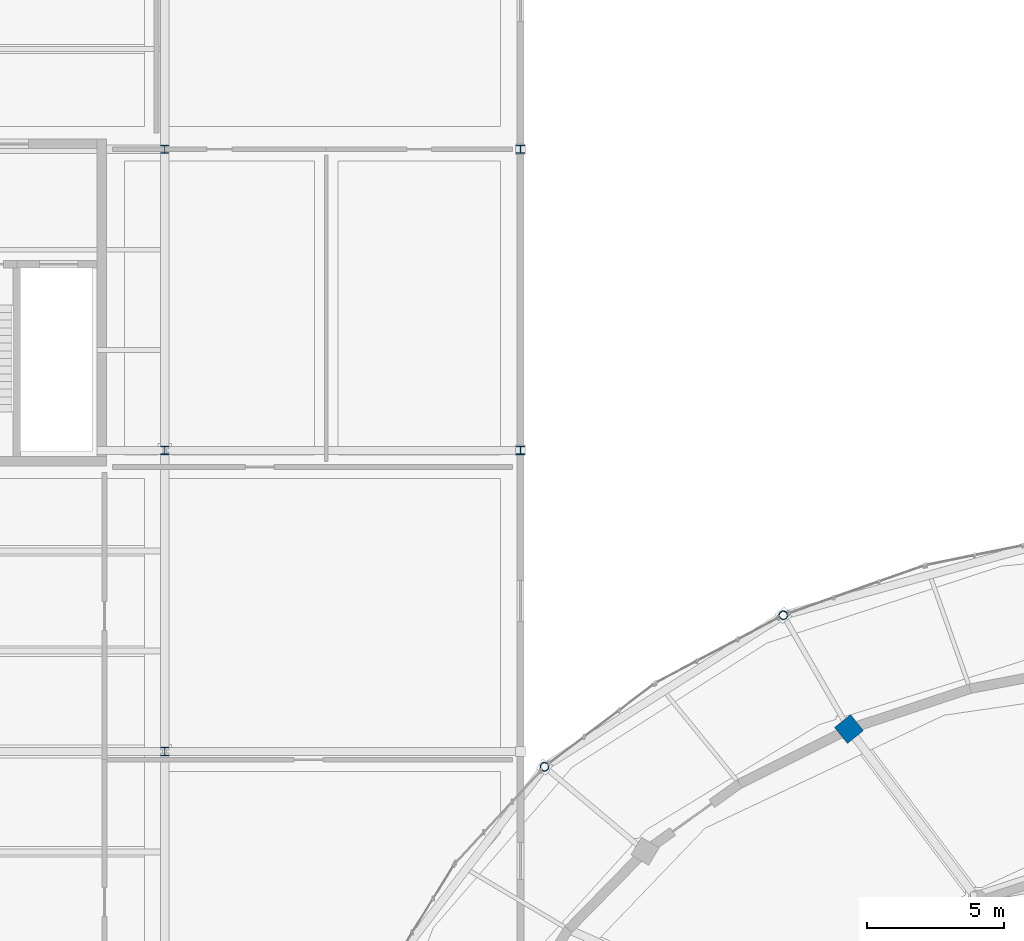
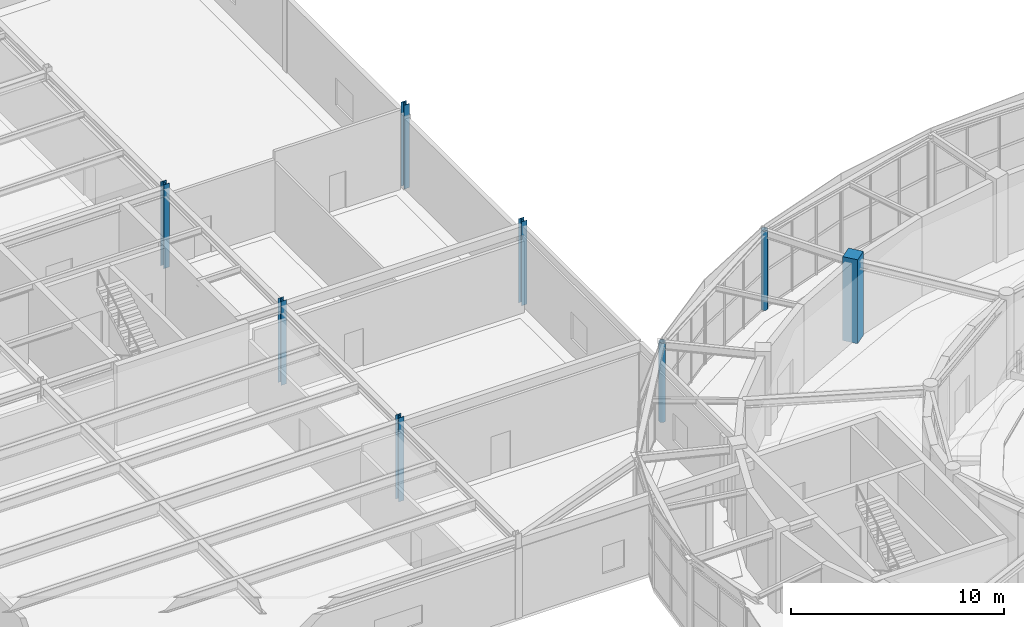
# One storey, part 10 of 108: 8 columns.
"""IFC4 building model written with IfcOpenShell, lengths in metres."""

import ifcopenshell
import ifcopenshell.guid

model = None  # the IFC model being written
_history = None  # IfcOwnerHistory: only IFC2X3 demands one
_inside = {}  # id of a spatial element -> (the spatial element, [elements in it])
_under = {}  # id of a project, library or spatial element -> (it, [spatial elements below it])
_declared = {}  # id of a project -> (the project, [libraries it declares])
_typed = {}  # id of a type object -> (the type object, [elements of that type])
_made_of = {}  # id of a material, layer set ... -> (it, [elements and type objects made of it])


def new_model(schema):
    """Start an empty IFC model of exactly this schema.

    Asked for "IFC4X3", IfcOpenShell would pick the latest addendum, in which some entities
    have other attributes; the version numbers below select the first issue.
    IFC2X3 requires an IfcOwnerHistory on every rooted entity: one is made here for all.
    """
    global model, _history
    if schema == "IFC4X3":
        model = ifcopenshell.file(schema_version=(4, 3, 0, 0))
    else:
        model = ifcopenshell.file(schema=schema)
    _inside.clear()
    _under.clear()
    _declared.clear()
    _typed.clear()
    _made_of.clear()
    _history = None
    if model.schema == "IFC2X3":
        org = make("IfcOrganization", Name="unknown")
        user = make(
            "IfcPersonAndOrganization",
            ThePerson=make("IfcPerson", FamilyName="unknown"),
            TheOrganization=org,
        )
        app = make(
            "IfcApplication",
            ApplicationDeveloper=org,
            Version="unknown",
            ApplicationFullName="unknown",
            ApplicationIdentifier="unknown",
        )
        _history = make(
            "IfcOwnerHistory",
            OwningUser=user,
            OwningApplication=app,
            ChangeAction="ADDED",
            CreationDate=0,
        )
    return model


def make(cls, **values):
    """One entity of the class cls with the attributes given. An attribute that is None is left unset."""
    return model.create_entity(
        cls, **{name: value for name, value in values.items() if value is not None}
    )


def rooted(cls, **values):
    """An entity with a GlobalId (a new one), such as an element, a storey or a relation."""
    return make(cls, GlobalId=ifcopenshell.guid.new(), OwnerHistory=_history, **values)


def si_unit(unit_type, name, prefix=None):
    """IfcSIUnit, for example si_unit("LENGTHUNIT", "METRE", prefix="MILLI")."""
    return make("IfcSIUnit", UnitType=unit_type, Prefix=prefix, Name=name)


def assignment(units):
    """IfcUnitAssignment: the units of a project."""
    return None if units is None else make("IfcUnitAssignment", Units=units)


def point(xyz):
    """IfcCartesianPoint."""
    return None if xyz is None else make("IfcCartesianPoint", Coordinates=xyz)


def direction(xyz):
    """IfcDirection."""
    return None if xyz is None else make("IfcDirection", DirectionRatios=xyz)


def frame(location, z_axis=None, x_axis=None):
    """IfcAxis2Placement3D, a coordinate frame: its origin and axes. An axis left out is left unset."""
    return make(
        "IfcAxis2Placement3D",
        Location=point(location),
        Axis=direction(z_axis),
        RefDirection=direction(x_axis),
    )


def frame_2d(location, x_axis=None):
    """IfcAxis2Placement2D, a coordinate frame in the plane: its origin and x axis."""
    return make(
        "IfcAxis2Placement2D", Location=point(location), RefDirection=direction(x_axis)
    )


def origin():
    """The frame at (0, 0, 0) with its axes left unset."""
    return frame((0.0, 0.0, 0.0))


def origin_2d():
    """The frame at (0, 0) in the plane with its x axis left unset."""
    return frame_2d((0.0, 0.0))


def place(relative_to, where):
    """IfcLocalPlacement: puts the frame where relative to a parent placement (None: the world)."""
    return make(
        "IfcLocalPlacement", PlacementRelTo=relative_to, RelativePlacement=where
    )


def context(
    kind, dimensions, precision=None, world=None, true_north=None, identifier=None
):
    """IfcGeometricRepresentationContext, for example the 3D "Model" context."""
    return make(
        "IfcGeometricRepresentationContext",
        ContextIdentifier=identifier,
        ContextType=kind,
        CoordinateSpaceDimension=dimensions,
        Precision=precision,
        WorldCoordinateSystem=world,
        TrueNorth=true_north,
    )


def subcontext(parent, identifier, kind, view, scale=None):
    """IfcGeometricRepresentationSubContext, for example "Body" below "Model"."""
    return make(
        "IfcGeometricRepresentationSubContext",
        ContextIdentifier=identifier,
        ContextType=kind,
        ParentContext=parent,
        TargetScale=scale,
        TargetView=view,
    )


def project(units=None, contexts=None):
    """IfcProject with its units and contexts."""
    return rooted(
        "IfcProject",
        Name="project",
        RepresentationContexts=contexts,
        UnitsInContext=assignment(units),
    )


def spatial(cls, under=None, at=None, **own):
    """A site, building, storey or space (cls), placed at a placement, below another one or the project."""
    s = rooted(cls, ObjectPlacement=at, **own)
    if under is not None:
        _under.setdefault(under.id(), (under, []))[1].append(s)
    return s


def profile(cls, at=None, kind="AREA", **sizes):
    """A parametric profile (cls). Its sizes go by their IFC names, for example OverallWidth=200.0."""
    return make(cls, ProfileType=kind, Position=at, **sizes)


def rectangle(**sizes):
    """IfcRectangleProfileDef."""
    return profile("IfcRectangleProfileDef", **sizes)


def hollow_circle(**sizes):
    """IfcCircleHollowProfileDef."""
    return profile("IfcCircleHollowProfileDef", **sizes)


def i_section(**sizes):
    """IfcIShapeProfileDef."""
    return profile("IfcIShapeProfileDef", **sizes)


def extrude(swept, where, along, depth):
    """IfcExtrudedAreaSolid: the profile swept, set in the frame where, extruded along a direction by depth."""
    return make(
        "IfcExtrudedAreaSolid",
        SweptArea=swept,
        Position=where,
        ExtrudedDirection=direction(along),
        Depth=depth,
    )


def shape(context_of_items, identifier, shape_type, items):
    """IfcShapeRepresentation: the items that make up one representation, for example the "Body"."""
    return make(
        "IfcShapeRepresentation",
        ContextOfItems=context_of_items,
        RepresentationIdentifier=identifier,
        RepresentationType=shape_type,
        Items=items,
    )


def material(Name=None, Category=None):
    """IfcMaterial."""
    return make("IfcMaterial", Name=Name, Category=Category)


def material_profile(
    of_material, cross_section, Name=None, Category=None, Priority=None
):
    """IfcMaterialProfile: a cross section and its material."""
    return make(
        "IfcMaterialProfile",
        Name=Name,
        Material=of_material,
        Profile=cross_section,
        Priority=Priority,
        Category=Category,
    )


def profile_set(profiles, Name=None, composite=None):
    """IfcMaterialProfileSet."""
    return make(
        "IfcMaterialProfileSet",
        Name=Name,
        MaterialProfiles=profiles,
        CompositeProfile=composite,
    )


def made_of(thing, what):
    """Note that an element or type object is made of a material, layer set ...; save() writes the relation."""
    if what is not None:
        _made_of.setdefault(what.id(), (what, []))[1].append(thing)
    return thing


def type_object(cls, material=None, **own):
    """A type object (cls), such as IfcWallType, which elements share."""
    return made_of(rooted(cls, **own), material)


def element(
    cls,
    number,
    at=None,
    inside=None,
    cuts=None,
    type_object=None,
    material=None,
    context=None,
    identifier="Body",
    shape_type=None,
    held_by="IfcProductDefinitionShape",
    body=None,
    shapes=None,
    **own,
):
    """One element of the class cls, such as IfcWall. Its Tag is "e" and its number.

    at: its placement. inside: the storey or other place that contains it. cuts: it is an
    opening in that element (IfcRelVoidsElement). A single representation is given by context,
    identifier, shape_type and body (its items); several are given by shapes. held_by: the class
    of the entity that holds the representations. save() writes the other relations.
    """
    e = rooted(cls, Tag="e%d" % number, ObjectPlacement=at, **own)
    if body is not None:
        shapes = [shape(context, identifier, shape_type, body)]
    if shapes is not None:
        e.Representation = make(held_by, Representations=shapes)
    if inside is not None:
        _inside.setdefault(inside.id(), (inside, []))[1].append(e)
    if cuts is not None:
        rooted(
            "IfcRelVoidsElement", RelatingBuildingElement=cuts, RelatedOpeningElement=e
        )
    if type_object is not None:
        _typed.setdefault(type_object.id(), (type_object, []))[1].append(e)
    return made_of(e, material)


def aggregate(whole, parts):
    """IfcRelAggregates: a whole, such as a stair, and the parts it consists of."""
    return rooted("IfcRelAggregates", RelatingObject=whole, RelatedObjects=parts)


def save(model, path):
    """Write the relations noted so far, then the file.

    IfcRelAggregates (storeys below a building ...), IfcRelContainedInSpatialStructure (elements
    in a storey), IfcRelDefinesByType, IfcRelAssociatesMaterial and IfcRelDeclares: one each for
    every whole, place, type object, material and project.
    """
    for whole, parts in _under.values():
        aggregate(whole, parts)
    for where, things in _inside.values():
        rooted(
            "IfcRelContainedInSpatialStructure",
            RelatedElements=things,
            RelatingStructure=where,
        )
    for kind, things in _typed.values():
        rooted("IfcRelDefinesByType", RelatedObjects=things, RelatingType=kind)
    for what, things in _made_of.values():
        rooted("IfcRelAssociatesMaterial", RelatedObjects=things, RelatingMaterial=what)
    for by, libraries in _declared.values():
        rooted("IfcRelDeclares", RelatingContext=by, RelatedDefinitions=libraries)
    model.write(path)


model = new_model("IFC4")

# Units and contexts
model_context = context("Model", 3, precision=1e-05, world=origin(), true_north=direction((0.0, 1.0)))
body_context = subcontext(model_context, "Body", "Model", "MODEL_VIEW")
ifc_project = project(units=[si_unit("LENGTHUNIT", "METRE"), si_unit("AREAUNIT", "SQUARE_METRE"), si_unit("VOLUMEUNIT", "CUBIC_METRE"), si_unit("PLANEANGLEUNIT", "RADIAN"), si_unit("MASSUNIT", "GRAM", prefix="KILO")], contexts=[model_context])

# Site, building, storey
site_placement = place(None, origin())
site = spatial("IfcSite", under=ifc_project, at=site_placement, CompositionType="ELEMENT")
building_placement = place(site_placement, origin())
building = spatial("IfcBuilding", under=site, at=building_placement, Name="Tarnveldt Headland Concert Hall", CompositionType="ELEMENT")
storey_placement = place(building_placement, frame((0.0, 0.0, 9.60009765625)))
storey = spatial("IfcBuildingStorey", under=building, at=storey_placement, Name="L02", CompositionType="ELEMENT", Elevation=9.60009765625)

# Columns
ifc_material_1 = material(Name="Concrete C40/50", Category="concrete")
ifc_material_profile_1 = material_profile(ifc_material_1, rectangle(XDim=0.75, YDim=0.75, at=origin_2d()), Name="RC 750x750", Category="concrete")
ifc_profile_set_1 = profile_set([ifc_material_profile_1], Name="Concrete C40/50")
column_type_1 = type_object("IfcColumnType", Name="CC-750", PredefinedType="COLUMN", material=ifc_profile_set_1)
column_placement = place(storey_placement, frame((69.5, 71.820556640625, 0.0), z_axis=(0.0, 0.0, 1.0), x_axis=(-0.628641963719, 0.777694851116, 0.0)))
element("IfcColumn", 1, at=column_placement, inside=storey, type_object=column_type_1, Name="Column V2DC07 L02", PredefinedType="COLUMN", context=body_context, shape_type="SweptSolid", body=[
    extrude(rectangle(XDim=0.75, YDim=0.75, at=origin_2d()), origin(), (0.0, 0.0, 1.0), 4.7998046875),
])
ifc_material_2 = material(Name="Steel S355", Category="steel")
ifc_material_profile_2 = material_profile(ifc_material_2, hollow_circle(Radius=0.161865234375, WallThickness=0.02001953125, at=origin_2d()), Name="CHS 323.9x20", Category="steel")
ifc_profile_set_2 = profile_set([ifc_material_profile_2], Name="Steel S355")
column_type_2 = type_object("IfcColumnType", Name="SC-CHS323", PredefinedType="COLUMN", material=ifc_profile_set_2)
for number, where, z_axis, x_axis, name in (
    (2, (67.10009765625, 75.977294921875, 0.0), (0.0, 0.0, 1.0), (-0.606959801962, 0.79473253287, 0.0), "Column V1C07 L02"),
    (3, (58.373779296875, 70.441162109375, 0.0), (0.0, 0.0, 1.0), (-0.84442143206, 0.535679423796, 0.0), "Column V1C08 L02"),
):
    element("IfcColumn", number, at=place(storey_placement, frame(where, z_axis=z_axis, x_axis=x_axis)), inside=storey, type_object=column_type_2, Name=name, PredefinedType="COLUMN", context=body_context, shape_type="SweptSolid", body=[
        extrude(hollow_circle(Radius=0.161865234375, WallThickness=0.02001953125, at=origin_2d()), origin(), (0.0, 0.0, 1.0), 4.5498046875),
    ])
ifc_material_profile_3 = material_profile(ifc_material_2, i_section(OverallWidth=0.300048828125, OverallDepth=0.300048828125, WebThickness=0.010986328125, FlangeThickness=0.01904296875, FilletRadius=0.027099609375, at=origin_2d()), Name="HEB300", Category="steel")
ifc_profile_set_3 = profile_set([ifc_material_profile_3], Name="Steel S355")
column_type_3 = type_object("IfcColumnType", Name="SC-HEB300", PredefinedType="COLUMN", material=ifc_profile_set_3)
for number, where, z_axis, x_axis, name in (
    (4, (44.5, 71.0, 0.0), (0.0, 0.0, 1.0), (1.0, 0.0, 0.0), "Column V5C17 L02"),
    (5, (44.5, 82.0, 0.0), (0.0, 0.0, 1.0), (1.0, 0.0, 0.0), "Column V5C18 L02"),
    (6, (44.5, 93.0, 0.0), (0.0, 0.0, 1.0), (1.0, 0.0, 0.0), "Column V5C19 L02"),
    (7, (57.5, 82.0, 0.0), (0.0, 0.0, 1.0), (1.0, 0.0, 0.0), "Column V5C22 L02"),
    (8, (57.5, 93.0, 0.0), (0.0, 0.0, 1.0), (1.0, 0.0, 0.0), "Column V5C23 L02"),
):
    element("IfcColumn", number, at=place(storey_placement, frame(where, z_axis=z_axis, x_axis=x_axis)), inside=storey, type_object=column_type_3, Name=name, PredefinedType="COLUMN", context=body_context, shape_type="SweptSolid", body=[
        extrude(i_section(OverallWidth=0.300048828125, OverallDepth=0.300048828125, WebThickness=0.010986328125, FlangeThickness=0.01904296875, FilletRadius=0.027099609375, at=origin_2d()), origin(), (0.0, 0.0, 1.0), 4.7998046875),
    ])

save(model, "model.ifc")
